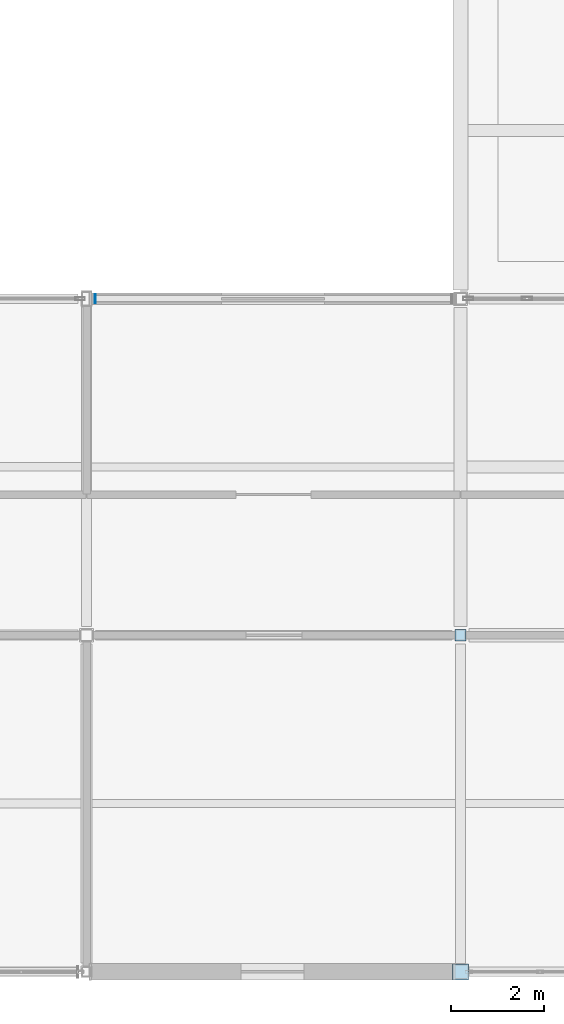
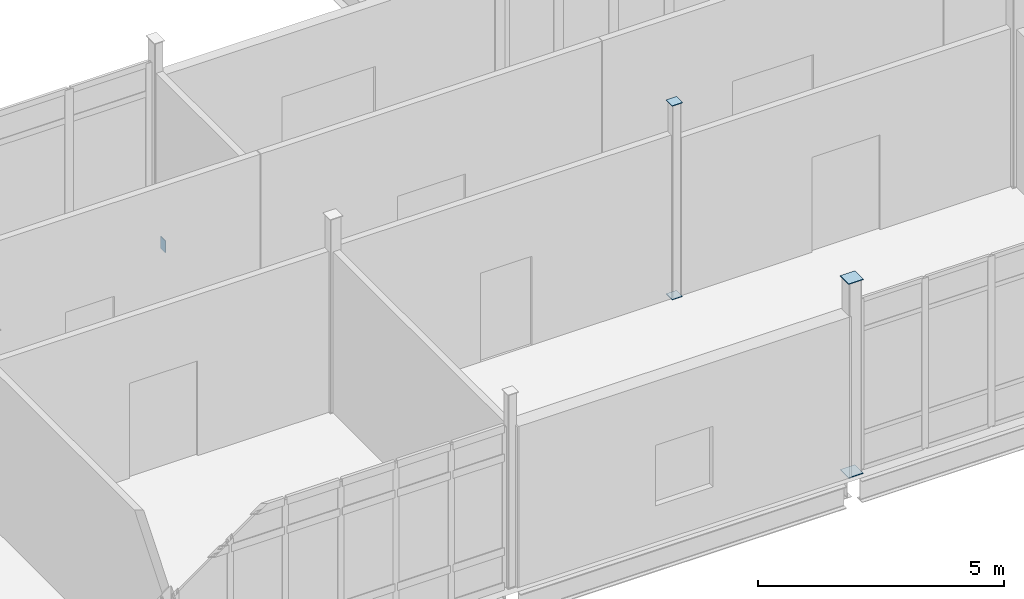
# One storey, part 140 of 186: 5 plates.
"""IFC4 building model written with IfcOpenShell, lengths in metres."""

from ifc_helpers import new_model, si_unit, direction, frame, origin, origin_2d, place, context, subcontext, project, spatial, rectangle, extrude, material, layer, layer_set, type_object, element, save


model = new_model("IFC4")

# Units and contexts
model_context = context("Model", 3, precision=1e-05, world=origin(), true_north=direction((0.0, 1.0)))
body_context = subcontext(model_context, "Body", "Model", "MODEL_VIEW")
ifc_project = project(units=[si_unit("LENGTHUNIT", "METRE"), si_unit("AREAUNIT", "SQUARE_METRE"), si_unit("VOLUMEUNIT", "CUBIC_METRE"), si_unit("PLANEANGLEUNIT", "RADIAN"), si_unit("MASSUNIT", "GRAM", prefix="KILO")], contexts=[model_context])

# Site, building, storey
site_placement = place(None, origin())
site = spatial("IfcSite", under=ifc_project, at=site_placement, CompositionType="ELEMENT")
building_placement = place(site_placement, origin())
building = spatial("IfcBuilding", under=site, at=building_placement, Name="Calvrana Isthmian Art Gallery", CompositionType="ELEMENT")
storey_placement = place(building_placement, frame((0.0, 0.0, 5.39990234375)))
storey = spatial("IfcBuildingStorey", under=building, at=storey_placement, Name="L01", CompositionType="ELEMENT", Elevation=5.39990234375)

# Plates
ifc_material = material(Name="Steel ASTM A572 Gr 50", Category="steel")
ifc_layer = layer(ifc_material, 0.01611328125, Name="Steel ASTM A572 Gr 50")
ifc_layer_set = layer_set([ifc_layer], Name="Steel ASTM A572 Gr 50")
plate_type = type_object("IfcPlateType", Name="PL-CAP-16", PredefinedType="SHEET", material=ifc_layer_set)
for number, where, z_axis, x_axis, name in (
    (1, (96.39990234375, 0.0, -0.008056640625), (0.0, 0.0, 1.0), (1.0, 0.0, 0.0), "Hollow section end cap plate 211"),
    (2, (96.39990234375, 0.0, 4.7919921875), (0.0, 0.0, 1.0), (1.0, 0.0, 0.0), "Hollow section end cap plate 212"),
):
    element("IfcPlate", number, at=place(storey_placement, frame(where, z_axis=z_axis, x_axis=x_axis)), inside=storey, type_object=plate_type, Name=name, PredefinedType="SHEET", context=body_context, shape_type="SweptSolid", body=[
        extrude(rectangle(XDim=0.3447265625, YDim=0.3447265625, at=origin_2d()), origin(), (0.0, 0.0, 1.0), 0.01611328125),
    ])
for number, where, z_axis, x_axis, name in (
    (3, (96.39990234375, 7.199951171875, -0.008056640625), (0.0, 0.0, 1.0), (1.0, 0.0, 0.0), "Hollow section end cap plate 213"),
    (4, (96.39990234375, 7.199951171875, 4.7919921875), (0.0, 0.0, 1.0), (1.0, 0.0, 0.0), "Hollow section end cap plate 214"),
):
    element("IfcPlate", number, at=place(storey_placement, frame(where, z_axis=z_axis, x_axis=x_axis)), inside=storey, type_object=plate_type, Name=name, PredefinedType="SHEET", context=body_context, shape_type="SweptSolid", body=[
        extrude(rectangle(XDim=0.2431640625, YDim=0.2431640625, at=origin_2d()), origin(), (0.0, 0.0, 1.0), 0.01611328125),
    ])
plate_placement = place(storey_placement, frame((88.583984375, 14.39990234375, -0.518798828125), z_axis=(0.0, 0.0, 1.0), x_axis=(1.0, 0.0, 0.0)))
element("IfcPlate", 5, at=plate_placement, inside=storey, type_object=plate_type, Name="Hollow section end cap plate 415", PredefinedType="SHEET", context=body_context, shape_type="SweptSolid", body=[
    extrude(rectangle(XDim=0.01611328125, YDim=0.1923828125, at=origin_2d()), origin(), (0.0, 0.0, 1.0), 0.2939453125),
])

save(model, "model.ifc")
